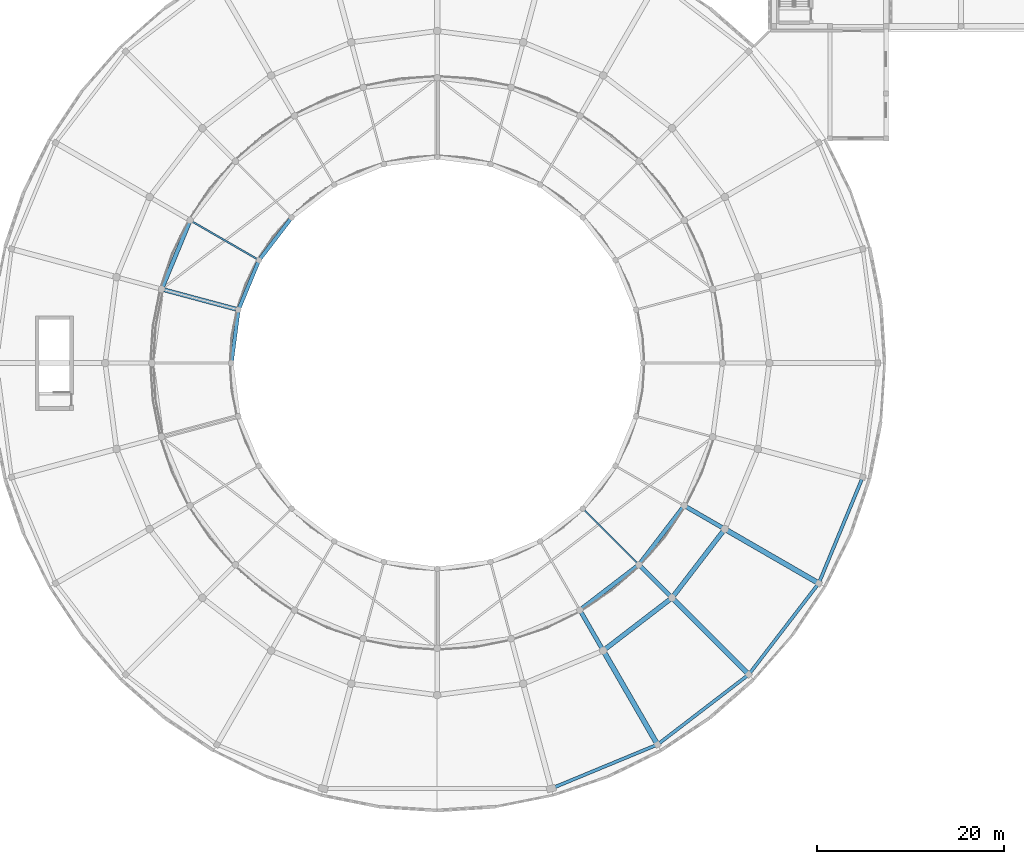
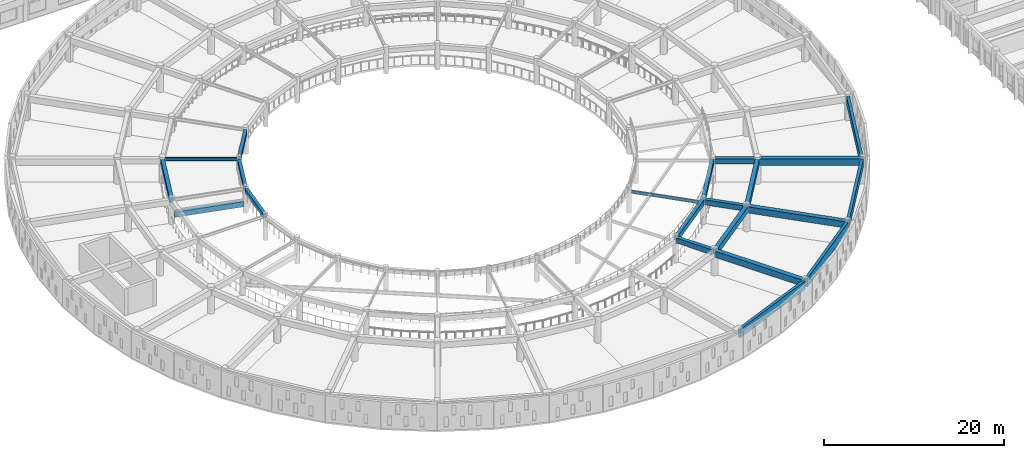
# One storey, part 11 of 155: 21 beams.
"""IFC4 building model written with IfcOpenShell, lengths in metres."""

from ifc_helpers import new_model, si_unit, direction, frame, origin, origin_2d, place, context, subcontext, project, spatial, rectangle, i_section, extrude, material, material_profile, profile_set, type_object, element, save


model = new_model("IFC4")

# Units and contexts
model_context = context("Model", 3, precision=1e-05, world=origin(), true_north=direction((0.0, 1.0)))
body_context = subcontext(model_context, "Body", "Model", "MODEL_VIEW")
ifc_project = project(units=[si_unit("LENGTHUNIT", "METRE"), si_unit("AREAUNIT", "SQUARE_METRE"), si_unit("VOLUMEUNIT", "CUBIC_METRE"), si_unit("PLANEANGLEUNIT", "RADIAN"), si_unit("MASSUNIT", "GRAM", prefix="KILO")], contexts=[model_context])

# Site, building, storey
site_placement = place(None, origin())
site = spatial("IfcSite", under=ifc_project, at=site_placement, CompositionType="ELEMENT")
building_placement = place(site_placement, origin())
building = spatial("IfcBuilding", under=site, at=building_placement, Name="Larkveld Mobility Hub", CompositionType="ELEMENT")
storey_placement = place(building_placement, frame((0.0, 0.0, 8.39990234375)))
storey = spatial("IfcBuildingStorey", under=building, at=storey_placement, Name="L02", CompositionType="ELEMENT", Elevation=8.39990234375)

# Beams
ifc_material_1 = material(Name="Concrete C40/50", Category="concrete")
ifc_material_profile_1 = material_profile(ifc_material_1, rectangle(XDim=0.39990234375, YDim=0.60009765625, at=origin_2d()), Name="RC BM 400x600")
ifc_profile_set_1 = profile_set([ifc_material_profile_1], Name="Concrete C40/50")
beam_type_1 = type_object("IfcBeamType", Name="BM-RC4060", PredefinedType="BEAM", material=ifc_profile_set_1)
beam_1_placement = place(storey_placement, frame((32.298095703125, 63.365966796875, 3.03515625), z_axis=(-0.608845256975, -0.793289009793, 0.0), x_axis=(0.793289009793, -0.608845256975, 0.0)))
element("IfcBeam", 1, at=beam_1_placement, inside=storey, type_object=beam_type_1, Name="Drum Chord Ring Beam L02-1656", PredefinedType="BEAM", context=body_context, shape_type="SweptSolid", body=[
    extrude(rectangle(XDim=0.39990234375, YDim=0.60009765625, at=origin_2d()), origin(), (0.0, 0.0, 1.0), 5.26416015625),
])
beam_2_placement = place(storey_placement, frame((28.85498046875, 58.778076171875, 3.03515625), z_axis=(-0.382522527323, -0.923946165147, 0.0), x_axis=(0.923946165147, -0.382522527323, 0.0)))
element("IfcBeam", 2, at=beam_2_placement, inside=storey, type_object=beam_type_1, Name="Drum Chord Ring Beam L02-1660", PredefinedType="BEAM", context=body_context, shape_type="SweptSolid", body=[
    extrude(rectangle(XDim=0.39990234375, YDim=0.60009765625, at=origin_2d()), origin(), (0.0, 0.0, 1.0), 5.26220703125),
])
beam_3_placement = place(storey_placement, frame((26.718994140625, 53.4560546875, 3.03515625), z_axis=(-0.130717291413, -0.991419683951, 0.0), x_axis=(0.991419683951, -0.130717291413, 0.0)))
element("IfcBeam", 3, at=beam_3_placement, inside=storey, type_object=beam_type_1, Name="Drum Chord Ring Beam L02-1664", PredefinedType="BEAM", context=body_context, shape_type="SweptSolid", body=[
    extrude(rectangle(XDim=0.39990234375, YDim=0.60009765625, at=origin_2d()), origin(), (0.0, 0.0, 1.0), 5.26318359375),
])
ifc_material_profile_2 = material_profile(ifc_material_1, rectangle(XDim=0.449951171875, YDim=0.699951171875, at=origin_2d()), Name="RC BM 450x700")
ifc_profile_set_2 = profile_set([ifc_material_profile_2], Name="Concrete C40/50")
beam_type_2 = type_object("IfcBeamType", Name="BM-RC4570", PredefinedType="BEAM", material=ifc_profile_set_2)
beam_4_placement = place(storey_placement, frame((63.3701171875, 21.3779296875, 2.985107421875), z_axis=(0.50002017008, -0.86601375827, 0.0), x_axis=(0.86601375827, 0.50002017008, 0.0)))
element("IfcBeam", 4, at=beam_4_placement, inside=storey, type_object=beam_type_2, Name="Drum Radial Girder L02-1609", PredefinedType="BEAM", context=body_context, shape_type="SweptSolid", body=[
    extrude(rectangle(XDim=0.449951171875, YDim=0.699951171875, at=origin_2d()), origin(), (0.0, 0.0, 1.0), 4.519287109375),
])
beam_5_placement = place(storey_placement, frame((69.737060546875, 26.262939453125, 2.985107421875), z_axis=(0.707106781187, -0.707106781187, 0.0), x_axis=(0.707106781187, 0.707106781187, 0.0)))
element("IfcBeam", 5, at=beam_5_placement, inside=storey, type_object=beam_type_2, Name="Drum Radial Girder L02-1612", PredefinedType="BEAM", context=body_context, shape_type="SweptSolid", body=[
    extrude(rectangle(XDim=0.449951171875, YDim=0.699951171875, at=origin_2d()), origin(), (0.0, 0.0, 1.0), 4.51806640625),
])
beam_6_placement = place(storey_placement, frame((74.6220703125, 32.6298828125, 2.985107421875), z_axis=(0.86601375827, -0.50002017008, 0.0), x_axis=(0.50002017008, 0.86601375827, 0.0)))
element("IfcBeam", 6, at=beam_6_placement, inside=storey, type_object=beam_type_2, Name="Drum Radial Girder L02-1615", PredefinedType="BEAM", context=body_context, shape_type="SweptSolid", body=[
    extrude(rectangle(XDim=0.449951171875, YDim=0.699951171875, at=origin_2d()), origin(), (0.0, 0.0, 1.0), 4.519287109375),
])
beam_7_placement = place(storey_placement, frame((21.493896484375, 63.028076171875, 2.985107421875), z_axis=(-0.382649607255, -0.923893542605, 0.0), x_axis=(0.923893542605, -0.382649607255, 0.0)))
element("IfcBeam", 7, at=beam_7_placement, inside=storey, type_object=beam_type_2, Name="Drum Chord Ring Beam L02-1661", PredefinedType="BEAM", context=body_context, shape_type="SweptSolid", body=[
    extrude(rectangle(XDim=0.449951171875, YDim=0.699951171875, at=origin_2d()), origin(), (0.0, 0.0, 1.0), 7.4814453125),
])
for number, where, z_axis, x_axis, name in (
    (8, (63.43994140625, 21.73193359375, 2.985107421875), (0.793382610721, 0.608723281143, 0.0), (-0.608723281143, 0.793382610721, 0.0), "Drum Chord Ring Beam L02-1700"),
    (9, (69.712890625, 26.623046875, 2.985107421875), (0.608723281143, 0.793382610721, 0.0), (-0.793382610721, 0.608723281143, 0.0), "Drum Chord Ring Beam L02-1704"),
):
    element("IfcBeam", number, at=place(storey_placement, frame(where, z_axis=z_axis, x_axis=x_axis)), inside=storey, type_object=beam_type_2, Name=name, PredefinedType="BEAM", context=body_context, shape_type="SweptSolid", body=[
        extrude(rectangle(XDim=0.449951171875, YDim=0.699951171875, at=origin_2d()), origin(), (0.0, 0.0, 1.0), 7.483154296875),
    ])
beam_8_placement = place(storey_placement, frame((26.47998046875, 53.76611328125, 1.205078125), z_axis=(-0.965910174028, 0.258877453071, 0.0), x_axis=(-0.258877453071, -0.965910174028, 0.0)))
element("IfcBeam", 10, at=beam_8_placement, inside=storey, type_object=beam_type_2, Name="Helical Ramp Radial Support Girder L02-1766", PredefinedType="BEAM", context=body_context, shape_type="SweptSolid", body=[
    extrude(rectangle(XDim=0.449951171875, YDim=0.699951171875, at=origin_2d()), origin(), (0.0, 0.0, 1.0), 7.941650390625),
])
ifc_material_profile_3 = material_profile(ifc_material_1, rectangle(XDim=0.5, YDim=0.800048828125, at=origin_2d()), Name="RC BM 500x800")
ifc_profile_set_3 = profile_set([ifc_material_profile_3], Name="Concrete C40/50")
beam_type_3 = type_object("IfcBeamType", Name="BM-RC5080", PredefinedType="BEAM", material=ifc_profile_set_3)
for number, where, z_axis, x_axis, name in (
    (11, (65.93994140625, 17.402099609375, 2.93505859375), (0.793357689021, 0.608755761591, 0.0), (-0.608755761591, 0.793357689021, 0.0), "Drum Chord Ring Beam L02-1701"),
    (12, (73.248046875, 23.087890625, 2.93505859375), (0.608755761591, 0.793357689021, 0.0), (-0.793357689021, 0.608755761591, 0.0), "Drum Chord Ring Beam L02-1705"),
):
    element("IfcBeam", number, at=place(storey_placement, frame(where, z_axis=z_axis, x_axis=x_axis)), inside=storey, type_object=beam_type_3, Name=name, PredefinedType="BEAM", context=body_context, shape_type="SweptSolid", body=[
        extrude(rectangle(XDim=0.5, YDim=0.800048828125, at=origin_2d()), origin(), (0.0, 0.0, 1.0), 8.7880859375),
    ])
ifc_material_profile_4 = material_profile(ifc_material_1, rectangle(XDim=0.550048828125, YDim=0.85009765625, at=origin_2d()), Name="RC BM 550x850")
ifc_profile_set_4 = profile_set([ifc_material_profile_4], Name="Concrete C40/50")
beam_type_4 = type_object("IfcBeamType", Name="BM-RC5585", PredefinedType="BEAM", material=ifc_profile_set_4)
beam_9_placement = place(storey_placement, frame((65.8701171875, 17.048095703125, 2.91015625), z_axis=(0.499990426839, -0.866030930781, 0.0), x_axis=(0.866030930781, 0.499990426839, 0.0)))
element("IfcBeam", 13, at=beam_9_placement, inside=storey, type_object=beam_type_4, Name="Drum Radial Girder L02-1610", PredefinedType="BEAM", context=body_context, shape_type="SweptSolid", body=[
    extrude(rectangle(XDim=0.550048828125, YDim=0.85009765625, at=origin_2d()), origin(), (0.0, 0.0, 1.0), 11.119873046875),
])
beam_10_placement = place(storey_placement, frame((73.27197265625, 22.72802734375, 2.91015625), z_axis=(0.707106781187, -0.707106781187, 0.0), x_axis=(0.707106781187, 0.707106781187, 0.0)))
element("IfcBeam", 14, at=beam_10_placement, inside=storey, type_object=beam_type_4, Name="Drum Radial Girder L02-1613", PredefinedType="BEAM", context=body_context, shape_type="SweptSolid", body=[
    extrude(rectangle(XDim=0.550048828125, YDim=0.85009765625, at=origin_2d()), origin(), (0.0, 0.0, 1.0), 11.1201171875),
])
beam_11_placement = place(storey_placement, frame((78.951904296875, 30.1298828125, 2.91015625), z_axis=(0.866030930781, -0.499990426839, 0.0), x_axis=(0.499990426839, 0.866030930781, 0.0)))
element("IfcBeam", 15, at=beam_11_placement, inside=storey, type_object=beam_type_4, Name="Drum Radial Girder L02-1616", PredefinedType="BEAM", context=body_context, shape_type="SweptSolid", body=[
    extrude(rectangle(XDim=0.550048828125, YDim=0.85009765625, at=origin_2d()), origin(), (0.0, 0.0, 1.0), 11.119873046875),
])
ifc_material_2 = material(Name="Precast concrete C50/60", Category="concrete")
ifc_material_profile_5 = material_profile(ifc_material_2, rectangle(XDim=0.35009765625, YDim=1.14990234375, at=origin_2d()), Name="PC SP 350x1150")
ifc_profile_set_5 = profile_set([ifc_material_profile_5], Name="Precast concrete C50/60")
beam_type_5 = type_object("IfcBeamType", Name="BM-SP35115", PredefinedType="SPANDREL", material=ifc_profile_set_5)
beam_12_placement = place(storey_placement, frame((60.412109375, 2.596923828125, 2.760009765625), z_axis=(0.923893431655, 0.38264987514, 0.0), x_axis=(-0.38264987514, 0.923893431655, 0.0)))
element("IfcBeam", 16, at=beam_12_placement, inside=storey, type_object=beam_type_5, Name="Drum Chord Ring Beam L02-1698", PredefinedType="SPANDREL", context=body_context, shape_type="SweptSolid", body=[
    extrude(rectangle(XDim=0.35009765625, YDim=1.14990234375, at=origin_2d()), origin(), (0.0, 0.0, 1.0), 11.81494140625),
])
for number, where, z_axis, x_axis, name in (
    (17, (71.739990234375, 7.35595703125, 2.760009765625), (0.79337685225, 0.608730786402, 0.0), (-0.608730786402, 0.79337685225, 0.0), "Drum Chord Ring Beam L02-1702"),
    (18, (81.450927734375, 14.885009765625, 2.760009765625), (0.608730786402, 0.79337685225, 0.0), (-0.79337685225, 0.608730786402, 0.0), "Drum Chord Ring Beam L02-1706"),
):
    element("IfcBeam", number, at=place(storey_placement, frame(where, z_axis=z_axis, x_axis=x_axis)), inside=storey, type_object=beam_type_5, Name=name, PredefinedType="SPANDREL", context=body_context, shape_type="SweptSolid", body=[
        extrude(rectangle(XDim=0.35009765625, YDim=1.14990234375, at=origin_2d()), origin(), (0.0, 0.0, 1.0), 11.816650390625),
    ])
beam_13_placement = place(storey_placement, frame((88.882080078125, 24.672119140625, 2.760009765625), z_axis=(0.38264987514, 0.923893431655, 0.0), x_axis=(-0.923893431655, 0.38264987514, 0.0)))
element("IfcBeam", 19, at=beam_13_placement, inside=storey, type_object=beam_type_5, Name="Drum Chord Ring Beam L02-1710", PredefinedType="SPANDREL", context=body_context, shape_type="SweptSolid", body=[
    extrude(rectangle(XDim=0.35009765625, YDim=1.14990234375, at=origin_2d()), origin(), (0.0, 0.0, 1.0), 11.81494140625),
])
ifc_material_3 = material(Name="Steel S355JR", Category="steel")
ifc_material_profile_6 = material_profile(ifc_material_3, i_section(OverallWidth=0.179931640625, OverallDepth=0.39990234375, WebThickness=0.008544921875, FlangeThickness=0.013427734375, FilletRadius=0.02099609375, at=origin_2d()), Name="IPE 400")
ifc_profile_set_6 = profile_set([ifc_material_profile_6], Name="Steel S355JR")
beam_type_6 = type_object("IfcBeamType", Name="BM-STIPE400", PredefinedType="BEAM", material=ifc_profile_set_6)
beam_14_placement = place(storey_placement, frame((28.739013671875, 59.1201171875, 3.135009765625), z_axis=(-0.86602386286, 0.50000266895, 0.0), x_axis=(-0.50000266895, -0.86602386286, 0.0)))
element("IfcBeam", 20, at=beam_14_placement, inside=storey, type_object=beam_type_6, Name="Drum Radial Girder L02-1579", PredefinedType="BEAM", context=body_context, shape_type="SweptSolid", body=[
    extrude(i_section(OverallWidth=0.179931640625, OverallDepth=0.39990234375, WebThickness=0.008544921875, FlangeThickness=0.013427734375, FilletRadius=0.02099609375, at=origin_2d()), origin(), (0.0, 0.0, 1.0), 8.01953125),
])
beam_15_placement = place(storey_placement, frame((63.72607421875, 32.27392578125, 2.775146484375), z_axis=(0.707106781187, -0.707106781187, 0.0), x_axis=(0.707106781187, 0.707106781187, 0.0)))
element("IfcBeam", 21, at=beam_15_placement, inside=storey, type_object=beam_type_6, Name="Drum Radial Girder L02-1611", PredefinedType="BEAM", context=body_context, shape_type="SweptSolid", body=[
    extrude(i_section(OverallWidth=0.179931640625, OverallDepth=0.39990234375, WebThickness=0.008544921875, FlangeThickness=0.013427734375, FilletRadius=0.02099609375, at=origin_2d()), origin(), (0.0, 0.0, 1.0), 8.019775390625),
])

save(model, "model.ifc")
